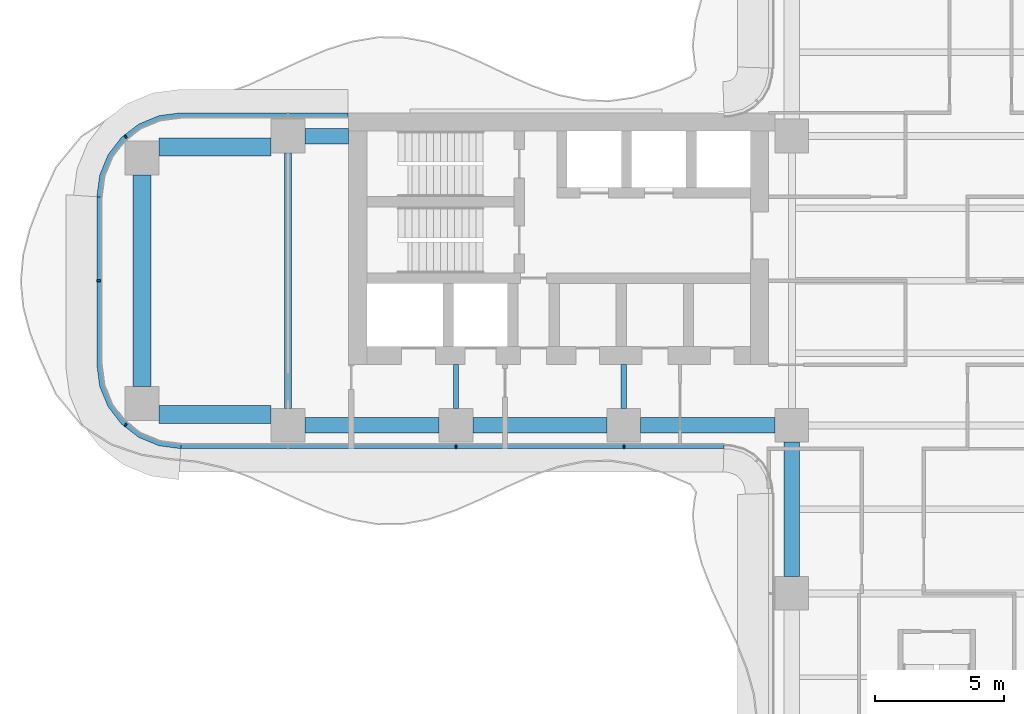
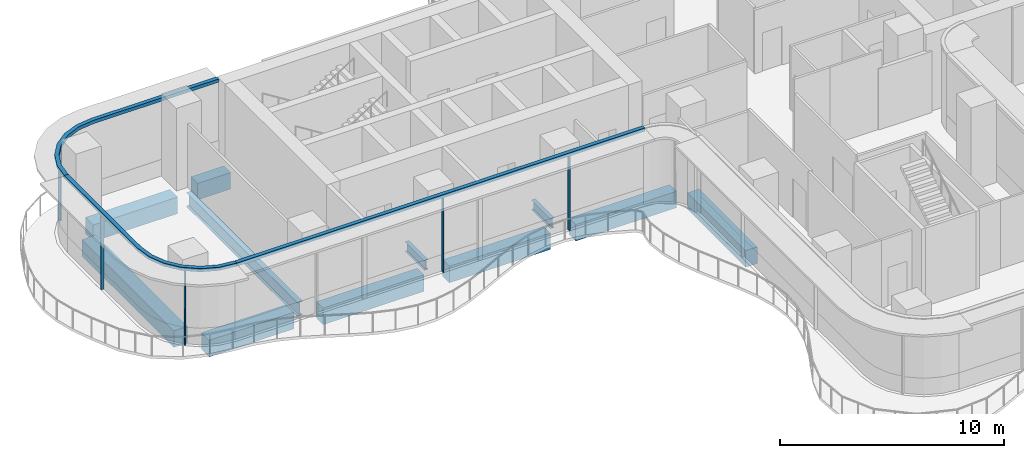
# One storey, part 3 of 20: 11 beams, 8 members, 3 elements without a shape of their own.
"""IFC4 building model written with IfcOpenShell, lengths in metres."""

import ifcopenshell
import ifcopenshell.guid

model = None  # the IFC model being written
_history = None  # IfcOwnerHistory: only IFC2X3 demands one
_inside = {}  # id of a spatial element -> (the spatial element, [elements in it])
_under = {}  # id of a project, library or spatial element -> (it, [spatial elements below it])
_declared = {}  # id of a project -> (the project, [libraries it declares])
_typed = {}  # id of a type object -> (the type object, [elements of that type])
_made_of = {}  # id of a material, layer set ... -> (it, [elements and type objects made of it])


def new_model(schema):
    """Start an empty IFC model of exactly this schema.

    Asked for "IFC4X3", IfcOpenShell would pick the latest addendum, in which some entities
    have other attributes; the version numbers below select the first issue.
    IFC2X3 requires an IfcOwnerHistory on every rooted entity: one is made here for all.
    """
    global model, _history
    if schema == "IFC4X3":
        model = ifcopenshell.file(schema_version=(4, 3, 0, 0))
    else:
        model = ifcopenshell.file(schema=schema)
    _inside.clear()
    _under.clear()
    _declared.clear()
    _typed.clear()
    _made_of.clear()
    _history = None
    if model.schema == "IFC2X3":
        org = make("IfcOrganization", Name="unknown")
        user = make(
            "IfcPersonAndOrganization",
            ThePerson=make("IfcPerson", FamilyName="unknown"),
            TheOrganization=org,
        )
        app = make(
            "IfcApplication",
            ApplicationDeveloper=org,
            Version="unknown",
            ApplicationFullName="unknown",
            ApplicationIdentifier="unknown",
        )
        _history = make(
            "IfcOwnerHistory",
            OwningUser=user,
            OwningApplication=app,
            ChangeAction="ADDED",
            CreationDate=0,
        )
    return model


def make(cls, **values):
    """One entity of the class cls with the attributes given. An attribute that is None is left unset."""
    return model.create_entity(
        cls, **{name: value for name, value in values.items() if value is not None}
    )


def rooted(cls, **values):
    """An entity with a GlobalId (a new one), such as an element, a storey or a relation."""
    return make(cls, GlobalId=ifcopenshell.guid.new(), OwnerHistory=_history, **values)


def si_unit(unit_type, name, prefix=None):
    """IfcSIUnit, for example si_unit("LENGTHUNIT", "METRE", prefix="MILLI")."""
    return make("IfcSIUnit", UnitType=unit_type, Prefix=prefix, Name=name)


def assignment(units):
    """IfcUnitAssignment: the units of a project."""
    return None if units is None else make("IfcUnitAssignment", Units=units)


def point(xyz):
    """IfcCartesianPoint."""
    return None if xyz is None else make("IfcCartesianPoint", Coordinates=xyz)


def direction(xyz):
    """IfcDirection."""
    return None if xyz is None else make("IfcDirection", DirectionRatios=xyz)


def frame(location, z_axis=None, x_axis=None):
    """IfcAxis2Placement3D, a coordinate frame: its origin and axes. An axis left out is left unset."""
    return make(
        "IfcAxis2Placement3D",
        Location=point(location),
        Axis=direction(z_axis),
        RefDirection=direction(x_axis),
    )


def frame_2d(location, x_axis=None):
    """IfcAxis2Placement2D, a coordinate frame in the plane: its origin and x axis."""
    return make(
        "IfcAxis2Placement2D", Location=point(location), RefDirection=direction(x_axis)
    )


def origin():
    """The frame at (0, 0, 0) with its axes left unset."""
    return frame((0.0, 0.0, 0.0))


def origin_2d():
    """The frame at (0, 0) in the plane with its x axis left unset."""
    return frame_2d((0.0, 0.0))


def place(relative_to, where):
    """IfcLocalPlacement: puts the frame where relative to a parent placement (None: the world)."""
    return make(
        "IfcLocalPlacement", PlacementRelTo=relative_to, RelativePlacement=where
    )


def context(
    kind, dimensions, precision=None, world=None, true_north=None, identifier=None
):
    """IfcGeometricRepresentationContext, for example the 3D "Model" context."""
    return make(
        "IfcGeometricRepresentationContext",
        ContextIdentifier=identifier,
        ContextType=kind,
        CoordinateSpaceDimension=dimensions,
        Precision=precision,
        WorldCoordinateSystem=world,
        TrueNorth=true_north,
    )


def subcontext(parent, identifier, kind, view, scale=None):
    """IfcGeometricRepresentationSubContext, for example "Body" below "Model"."""
    return make(
        "IfcGeometricRepresentationSubContext",
        ContextIdentifier=identifier,
        ContextType=kind,
        ParentContext=parent,
        TargetScale=scale,
        TargetView=view,
    )


def project(units=None, contexts=None):
    """IfcProject with its units and contexts."""
    return rooted(
        "IfcProject",
        Name="project",
        RepresentationContexts=contexts,
        UnitsInContext=assignment(units),
    )


def spatial(cls, under=None, at=None, **own):
    """A site, building, storey or space (cls), placed at a placement, below another one or the project."""
    s = rooted(cls, ObjectPlacement=at, **own)
    if under is not None:
        _under.setdefault(under.id(), (under, []))[1].append(s)
    return s


def polyline(points):
    """IfcPolyline through the points."""
    return make("IfcPolyline", Points=[point(p) for p in points])


def profile(cls, at=None, kind="AREA", **sizes):
    """A parametric profile (cls). Its sizes go by their IFC names, for example OverallWidth=200.0."""
    return make(cls, ProfileType=kind, Position=at, **sizes)


def rectangle(**sizes):
    """IfcRectangleProfileDef."""
    return profile("IfcRectangleProfileDef", **sizes)


def i_section(**sizes):
    """IfcIShapeProfileDef."""
    return profile("IfcIShapeProfileDef", **sizes)


def outline(outer, holes=None, kind="AREA"):
    """IfcArbitraryClosedProfileDef: a profile drawn as a closed curve; with holes, ...WithVoids."""
    if holes is None:
        return make("IfcArbitraryClosedProfileDef", ProfileType=kind, OuterCurve=outer)
    return make(
        "IfcArbitraryProfileDefWithVoids",
        ProfileType=kind,
        OuterCurve=outer,
        InnerCurves=holes,
    )


def extrude(swept, where, along, depth):
    """IfcExtrudedAreaSolid: the profile swept, set in the frame where, extruded along a direction by depth."""
    return make(
        "IfcExtrudedAreaSolid",
        SweptArea=swept,
        Position=where,
        ExtrudedDirection=direction(along),
        Depth=depth,
    )


def shape(context_of_items, identifier, shape_type, items):
    """IfcShapeRepresentation: the items that make up one representation, for example the "Body"."""
    return make(
        "IfcShapeRepresentation",
        ContextOfItems=context_of_items,
        RepresentationIdentifier=identifier,
        RepresentationType=shape_type,
        Items=items,
    )


def source(mapping_origin, context_of_items, identifier, shape_type, items):
    """IfcRepresentationMap: a shape defined once, which mapped items show again and again."""
    return make(
        "IfcRepresentationMap",
        MappingOrigin=mapping_origin,
        MappedRepresentation=shape(context_of_items, identifier, shape_type, items),
    )


def transform(
    local_origin,
    x_axis=None,
    y_axis=None,
    z_axis=None,
    scale=None,
    scale2=None,
    scale3=None,
    uniform=True,
):
    """IfcCartesianTransformationOperator3D, or its non-uniform kind. x_axis, y_axis, z_axis: its Axis1, 2, 3."""
    if uniform:
        return make(
            "IfcCartesianTransformationOperator3D",
            Axis1=direction(x_axis),
            Axis2=direction(y_axis),
            LocalOrigin=point(local_origin),
            Scale=scale,
            Axis3=direction(z_axis),
        )
    return make(
        "IfcCartesianTransformationOperator3DnonUniform",
        Axis1=direction(x_axis),
        Axis2=direction(y_axis),
        LocalOrigin=point(local_origin),
        Scale=scale,
        Axis3=direction(z_axis),
        Scale2=scale2,
        Scale3=scale3,
    )


def mapped(mapping_source, mapping_target):
    """IfcMappedItem: shows the shape of a source again, moved by a transform."""
    return make(
        "IfcMappedItem", MappingSource=mapping_source, MappingTarget=mapping_target
    )


def material(Name=None, Category=None):
    """IfcMaterial."""
    return make("IfcMaterial", Name=Name, Category=Category)


def layer(
    of_material, thickness, ventilated=None, Name=None, Category=None, Priority=None
):
    """IfcMaterialLayer: one layer of a wall or slab, of a material (None: an air gap)."""
    return make(
        "IfcMaterialLayer",
        Material=of_material,
        LayerThickness=thickness,
        IsVentilated=ventilated,
        Name=Name,
        Category=Category,
        Priority=Priority,
    )


def layer_set(layers, Name=None):
    """IfcMaterialLayerSet."""
    return make("IfcMaterialLayerSet", MaterialLayers=layers, LayerSetName=Name)


def material_profile(
    of_material, cross_section, Name=None, Category=None, Priority=None
):
    """IfcMaterialProfile: a cross section and its material."""
    return make(
        "IfcMaterialProfile",
        Name=Name,
        Material=of_material,
        Profile=cross_section,
        Priority=Priority,
        Category=Category,
    )


def profile_set(profiles, Name=None, composite=None):
    """IfcMaterialProfileSet."""
    return make(
        "IfcMaterialProfileSet",
        Name=Name,
        MaterialProfiles=profiles,
        CompositeProfile=composite,
    )


def made_of(thing, what):
    """Note that an element or type object is made of a material, layer set ...; save() writes the relation."""
    if what is not None:
        _made_of.setdefault(what.id(), (what, []))[1].append(thing)
    return thing


def type_object(cls, material=None, **own):
    """A type object (cls), such as IfcWallType, which elements share."""
    return made_of(rooted(cls, **own), material)


def element(
    cls,
    number,
    at=None,
    inside=None,
    cuts=None,
    type_object=None,
    material=None,
    context=None,
    identifier="Body",
    shape_type=None,
    held_by="IfcProductDefinitionShape",
    body=None,
    shapes=None,
    **own,
):
    """One element of the class cls, such as IfcWall. Its Tag is "e" and its number.

    at: its placement. inside: the storey or other place that contains it. cuts: it is an
    opening in that element (IfcRelVoidsElement). A single representation is given by context,
    identifier, shape_type and body (its items); several are given by shapes. held_by: the class
    of the entity that holds the representations. save() writes the other relations.
    """
    e = rooted(cls, Tag="e%d" % number, ObjectPlacement=at, **own)
    if body is not None:
        shapes = [shape(context, identifier, shape_type, body)]
    if shapes is not None:
        e.Representation = make(held_by, Representations=shapes)
    if inside is not None:
        _inside.setdefault(inside.id(), (inside, []))[1].append(e)
    if cuts is not None:
        rooted(
            "IfcRelVoidsElement", RelatingBuildingElement=cuts, RelatedOpeningElement=e
        )
    if type_object is not None:
        _typed.setdefault(type_object.id(), (type_object, []))[1].append(e)
    return made_of(e, material)


def aggregate(whole, parts):
    """IfcRelAggregates: a whole, such as a stair, and the parts it consists of."""
    return rooted("IfcRelAggregates", RelatingObject=whole, RelatedObjects=parts)


def save(model, path):
    """Write the relations noted so far, then the file.

    IfcRelAggregates (storeys below a building ...), IfcRelContainedInSpatialStructure (elements
    in a storey), IfcRelDefinesByType, IfcRelAssociatesMaterial and IfcRelDeclares: one each for
    every whole, place, type object, material and project.
    """
    for whole, parts in _under.values():
        aggregate(whole, parts)
    for where, things in _inside.values():
        rooted(
            "IfcRelContainedInSpatialStructure",
            RelatedElements=things,
            RelatingStructure=where,
        )
    for kind, things in _typed.values():
        rooted("IfcRelDefinesByType", RelatedObjects=things, RelatingType=kind)
    for what, things in _made_of.values():
        rooted("IfcRelAssociatesMaterial", RelatedObjects=things, RelatingMaterial=what)
    for by, libraries in _declared.values():
        rooted("IfcRelDeclares", RelatingContext=by, RelatedDefinitions=libraries)
    model.write(path)


model = new_model("IFC4")

# Units and contexts
model_context = context("Model", 3, precision=1e-05, world=origin(), true_north=direction((0.0, 1.0)))
body_context = subcontext(model_context, "Body", "Model", "MODEL_VIEW")
ifc_project = project(units=[si_unit("LENGTHUNIT", "METRE"), si_unit("AREAUNIT", "SQUARE_METRE"), si_unit("VOLUMEUNIT", "CUBIC_METRE"), si_unit("PLANEANGLEUNIT", "RADIAN"), si_unit("MASSUNIT", "GRAM", prefix="KILO")], contexts=[model_context])

# Site, building, storey
site_placement = place(None, origin())
site = spatial("IfcSite", under=ifc_project, at=site_placement, CompositionType="ELEMENT")
building_placement = place(site_placement, origin())
building = spatial("IfcBuilding", under=site, at=building_placement, Name="Trellis Farm Tower", CompositionType="ELEMENT")
storey_placement = place(building_placement, frame((0.0, 0.0, 133.5)))
storey = spatial("IfcBuildingStorey", under=building, at=storey_placement, Name="L28", CompositionType="ELEMENT", Elevation=133.5)

# Beams
ifc_material_1 = material(Name="Steel S355", Category="steel")
ifc_material_profile_1 = material_profile(ifc_material_1, i_section(OverallWidth=0.2666015625, OverallDepth=0.76220703125, WebThickness=0.014404296875, FlangeThickness=0.021484375, FilletRadius=0.0166015625, at=origin_2d()), Name="UB 762x267x173")
ifc_profile_set_1 = profile_set([ifc_material_profile_1], Name="Steel S355")
beam_type_1 = type_object("IfcBeamType", Name="UB 762x267x173", PredefinedType="BEAM", material=ifc_profile_set_1)
shared_shape_1 = source(origin(), body_context, "Body", "SweptSolid", [
    extrude(i_section(OverallWidth=0.2666015625, OverallDepth=0.76220703125, WebThickness=0.014404296875, FlangeThickness=0.021484375, FilletRadius=0.0166015625, at=origin_2d()), origin(), (0.0, 0.0, 1.0), 9.89990234375),
])
beam_1_placement = place(storey_placement, frame((-25.10009765625, -4.949951171875, -0.631103515625), z_axis=(0.0, 1.0, 0.0), x_axis=(-1.0, 0.0, 0.0)))
element("IfcBeam", 1, at=beam_1_placement, inside=storey, type_object=beam_type_1, Name="Girder", PredefinedType="BEAM", context=body_context, shape_type="MappedRepresentation", body=[
    mapped(shared_shape_1, transform((0.0, 0.0, 0.0))),
])
ifc_material_2 = material(Name="Concrete C60/75", Category="concrete")
ifc_material_profile_2 = material_profile(ifc_material_2, rectangle(XDim=0.60009765625, YDim=0.89990234375, at=origin_2d()), Name="RC spandrel beam 600x900 C60/75")
ifc_profile_set_2 = profile_set([ifc_material_profile_2], Name="Concrete C60/75")
beam_type_2 = type_object("IfcBeamType", Name="RC spandrel beam 600x900 C60/75", PredefinedType="SPANDREL", material=ifc_profile_set_2)
shared_shape_2 = source(origin(), body_context, "Body", "SweptSolid", [
    extrude(rectangle(XDim=0.60009765625, YDim=0.89990234375, at=origin_2d()), origin(), (0.0, 0.0, 1.0), 1.699951171875),
])
beam_2_placement = place(storey_placement, frame((-24.449951171875, 5.60009765625, -0.699951171875), z_axis=(1.0, 0.0, 0.0), x_axis=(0.0, 1.0, 0.0)))
element("IfcBeam", 2, at=beam_2_placement, inside=storey, type_object=beam_type_2, Name="Girder", PredefinedType="SPANDREL", context=body_context, shape_type="MappedRepresentation", body=[
    mapped(shared_shape_2, transform((0.0, 0.0, 0.0))),
])
ifc_material_profile_3 = material_profile(ifc_material_1, i_section(OverallWidth=0.209228515625, OverallDepth=0.533203125, WebThickness=0.010009765625, FlangeThickness=0.015625, FilletRadius=0.0126953125, at=origin_2d()), Name="UB 533x210x92")
ifc_profile_set_3 = profile_set([ifc_material_profile_3], Name="Steel S355")
beam_type_3 = type_object("IfcBeamType", Name="UB 533x210x92", PredefinedType="BEAM", material=ifc_profile_set_3)
shared_shape_3 = source(origin(), body_context, "Body", "SweptSolid", [
    extrude(i_section(OverallWidth=0.209228515625, OverallDepth=0.533203125, WebThickness=0.010009765625, FlangeThickness=0.015625, FilletRadius=0.0126953125, at=origin_2d()), origin(), (0.0, 0.0, 1.0), 1.699951171875),
])
for number, where, z_axis, x_axis, name in (
    (3, (-18.60009765625, -4.949951171875, -0.5166015625), (0.0, 1.0, 0.0), (-1.0, 0.0, 0.0), "Girder"),
    (4, (-12.10009765625, -4.949951171875, -0.5166015625), (0.0, 1.0, 0.0), (-1.0, 0.0, 0.0), "Girder"),
):
    element("IfcBeam", number, at=place(storey_placement, frame(where, z_axis=z_axis, x_axis=x_axis)), inside=storey, type_object=beam_type_3, Name=name, PredefinedType="BEAM", context=body_context, shape_type="MappedRepresentation", body=[
        mapped(shared_shape_3, transform((0.0, 0.0, 0.0))),
    ])
shared_shape_4 = source(origin(), body_context, "Body", "SweptSolid", [
    extrude(rectangle(XDim=0.60009765625, YDim=0.89990234375, at=origin_2d()), origin(), (0.0, 0.0, 1.0), 5.199951171875),
])
for number, where, z_axis, x_axis, name in (
    (5, (-24.449951171875, -5.60009765625, -0.699951171875), (1.0, 0.0, 0.0), (0.0, 1.0, 0.0), "Girder"),
    (6, (-17.949951171875, -5.60009765625, -0.699951171875), (1.0, 0.0, 0.0), (0.0, 1.0, 0.0), "Girder"),
    (7, (-11.449951171875, -5.60009765625, -0.699951171875), (1.0, 0.0, 0.0), (0.0, 1.0, 0.0), "Girder"),
    (8, (-5.60009765625, -11.449951171875, -0.699951171875), (0.0, 1.0, 0.0), (-1.0, 0.0, 0.0), "Girder"),
):
    element("IfcBeam", number, at=place(storey_placement, frame(where, z_axis=z_axis, x_axis=x_axis)), inside=storey, type_object=beam_type_2, Name=name, PredefinedType="SPANDREL", context=body_context, shape_type="MappedRepresentation", body=[
        mapped(shared_shape_4, transform((0.0, 0.0, 0.0))),
    ])
ifc_material_profile_4 = material_profile(ifc_material_2, rectangle(XDim=0.699951171875, YDim=0.89990234375, at=origin_2d()), Name="RC spandrel beam 700x900 C60/75")
ifc_profile_set_4 = profile_set([ifc_material_profile_4], Name="Concrete C60/75")
beam_type_4 = type_object("IfcBeamType", Name="RC spandrel beam 700x900 C60/75", PredefinedType="SPANDREL", material=ifc_profile_set_4)
shared_shape_5 = source(origin(), body_context, "Body", "SweptSolid", [
    extrude(rectangle(XDim=0.699951171875, YDim=0.89990234375, at=origin_2d()), origin(), (0.0, 0.0, 1.0), 4.35009765625),
])
for number, where, z_axis, x_axis, name in (
    (9, (-30.10009765625, -5.175048828125, -0.699951171875), (1.0, 0.0, 0.0), (0.0, 1.0, 0.0), "Girder"),
    (10, (-30.10009765625, 5.175048828125, -0.699951171875), (1.0, 0.0, 0.0), (0.0, 1.0, 0.0), "Girder"),
):
    element("IfcBeam", number, at=place(storey_placement, frame(where, z_axis=z_axis, x_axis=x_axis)), inside=storey, type_object=beam_type_4, Name=name, PredefinedType="SPANDREL", context=body_context, shape_type="MappedRepresentation", body=[
        mapped(shared_shape_5, transform((0.0, 0.0, 0.0))),
    ])
shared_shape_6 = source(origin(), body_context, "Body", "SweptSolid", [
    extrude(rectangle(XDim=0.699951171875, YDim=0.89990234375, at=origin_2d()), origin(), (0.0, 0.0, 1.0), 8.2001953125),
])
beam_3_placement = place(storey_placement, frame((-30.75, -4.10009765625, -0.699951171875), z_axis=(0.0, 1.0, 0.0), x_axis=(-1.0, 0.0, 0.0)))
element("IfcBeam", 11, at=beam_3_placement, inside=storey, type_object=beam_type_4, Name="Girder", PredefinedType="SPANDREL", context=body_context, shape_type="MappedRepresentation", body=[
    mapped(shared_shape_6, transform((0.0, 0.0, 0.0))),
])

# Curtain wall, members
ifc_material_3 = material(Name="Aluminium and glass curtain wall", Category="aluminium")
ifc_layer_1 = layer(ifc_material_3, 0.18994140625)
ifc_layer_set_1 = layer_set([ifc_layer_1], Name="RIBBON CURTAIN WALL CW1")
curtain_wall_type = type_object("IfcCurtainWallType", Name="RIBBON CURTAIN WALL CW1", PredefinedType="NOTDEFINED", material=ifc_layer_set_1)
placement_1 = place(storey_placement, origin())
curtain_wall_1 = element("IfcCurtainWall", 12, at=placement_1, inside=storey, type_object=curtain_wall_type, Name="CW1 001", PredefinedType="NOTDEFINED")
ifc_material_4 = material(Name="Aluminium extrusion 6063-T6", Category="aluminium")
ifc_material_profile_5 = material_profile(ifc_material_4, rectangle(XDim=0.06005859375, YDim=0.14990234375, at=origin_2d()), Name="MULLION 60x150")
ifc_profile_set_5 = profile_set([ifc_material_profile_5], Name="Aluminium extrusion 6063-T6")
member_type_1 = type_object("IfcMemberType", Name="CW1 MULLION 60x150", PredefinedType="MULLION", material=ifc_profile_set_5)
shared_shape_7 = source(origin(), body_context, "Body", "SweptSolid", [
    extrude(rectangle(XDim=0.06005859375, YDim=0.14990234375, at=origin_2d()), origin(), (0.0, 0.0, 1.0), 4.070068359375),
])
member_1_placement = place(storey_placement, frame((-18.60009765625, -6.425048828125, 0.0), z_axis=(0.0, 0.0, 1.0), x_axis=(1.0, 0.0, 0.0)))
member_1 = element("IfcMember", 13, at=member_1_placement, type_object=member_type_1, Name="MU1 001-02", PredefinedType="MULLION", context=body_context, shape_type="MappedRepresentation", body=[
    mapped(shared_shape_7, transform((0.0, 0.0, 0.0))),
])
member_2_placement = place(storey_placement, frame((-12.10009765625, -6.425048828125, 0.0), z_axis=(0.0, 0.0, 1.0), x_axis=(1.0, 0.0, 0.0)))
member_2 = element("IfcMember", 14, at=member_2_placement, type_object=member_type_1, Name="MU1 001-03", PredefinedType="MULLION", context=body_context, shape_type="MappedRepresentation", body=[
    mapped(shared_shape_7, transform((0.0, 0.0, 0.0))),
])

# Curtain wall, member
curtain_wall_2 = element("IfcCurtainWall", 15, at=placement_1, inside=storey, type_object=curtain_wall_type, Name="CW1 012", PredefinedType="NOTDEFINED")
member_3_placement = place(storey_placement, frame((-31.385498046875, 5.578369140625, 0.0), z_axis=(0.0, 0.0, 1.0), x_axis=(-0.793353340291, -0.608761429009, 0.0)))
member_3 = element("IfcMember", 16, at=member_3_placement, type_object=member_type_1, Name="MU1 012-02", PredefinedType="MULLION", context=body_context, shape_type="MappedRepresentation", body=[
    mapped(shared_shape_7, transform((0.0, 0.0, 0.0))),
])

# Curtain wall, members
curtain_wall_3 = element("IfcCurtainWall", 17, at=placement_1, inside=storey, type_object=curtain_wall_type, Name="CW1 013", PredefinedType="NOTDEFINED")
member_4_placement = place(storey_placement, frame((-32.425048828125, 0.0, 0.0), z_axis=(0.0, 0.0, 1.0), x_axis=(0.0, -1.0, 0.0)))
member_4 = element("IfcMember", 18, at=member_4_placement, type_object=member_type_1, Name="MU1 013-01", PredefinedType="MULLION", context=body_context, shape_type="MappedRepresentation", body=[
    mapped(shared_shape_7, transform((0.0, 0.0, 0.0))),
])
member_5_placement = place(storey_placement, frame((-31.385498046875, -5.578369140625, 0.0), z_axis=(0.0, 0.0, 1.0), x_axis=(0.793353340291, -0.608761429009, 0.0)))
member_5 = element("IfcMember", 19, at=member_5_placement, type_object=member_type_1, Name="MU1 013-02", PredefinedType="MULLION", context=body_context, shape_type="MappedRepresentation", body=[
    mapped(shared_shape_7, transform((0.0, 0.0, 0.0))),
])

# Member
ifc_layer_2 = layer(ifc_material_4, 0.199951171875)
ifc_layer_set_2 = layer_set([ifc_layer_2], Name="Aluminium extrusion 6063-T6")
member_type_2 = type_object("IfcMemberType", Name="CW1 TRANSOM 200x180", PredefinedType="USERDEFINED", material=ifc_layer_set_2)
shared_shape_8 = source(origin(), body_context, "Body", "SweptSolid", [
    extrude(outline(polyline([(-29.25, -6.5), (-8.2314453125, -6.5), (-8.224853515625, -6.300048828125), (-29.23681640625, -6.300048828125), (-29.25, -6.5)])), origin(), (0.0, 0.0, 1.0), 0.179931640625),
])
placement_2 = place(storey_placement, frame((0.0, 0.0, 4.070068359375)))
member_6 = element("IfcMember", 20, at=placement_2, type_object=member_type_2, Name="TR1 001", ObjectType="TRANSOM", PredefinedType="USERDEFINED", context=body_context, shape_type="MappedRepresentation", body=[
    mapped(shared_shape_8, transform((0.0, 0.0, 0.0))),
])

aggregate(curtain_wall_1, [member_1, member_2, member_6])

shared_shape_9 = source(origin(), body_context, "Body", "SweptSolid", [
    extrude(outline(polyline([(-22.780029296875, 6.5), (-29.25, 6.5), (-30.091064453125, 6.38916015625), (-30.875, 6.064697265625), (-31.548095703125, 5.548095703125), (-32.064697265625, 4.875), (-32.38916015625, 4.091064453125), (-32.5, 3.25), (-32.300048828125, 3.23681640625), (-32.1943359375, 4.0390625), (-31.889892578125, 4.774169921875), (-31.405517578125, 5.405517578125), (-30.774169921875, 5.889892578125), (-30.0390625, 6.1943359375), (-29.23681640625, 6.300048828125), (-22.780029296875, 6.300048828125), (-22.780029296875, 6.5)])), origin(), (0.0, 0.0, 1.0), 0.179931640625),
])
member_7 = element("IfcMember", 21, at=placement_2, type_object=member_type_2, Name="TR1 012", ObjectType="TRANSOM", PredefinedType="USERDEFINED", context=body_context, shape_type="MappedRepresentation", body=[
    mapped(shared_shape_9, transform((0.0, 0.0, 0.0))),
])

aggregate(curtain_wall_2, [member_3, member_7])

shared_shape_10 = source(origin(), body_context, "Body", "SweptSolid", [
    extrude(outline(polyline([(-32.5, 3.25), (-32.5, -3.25), (-32.38916015625, -4.091064453125), (-32.064697265625, -4.875), (-31.548095703125, -5.548095703125), (-30.875, -6.064697265625), (-30.091064453125, -6.38916015625), (-29.25, -6.5), (-29.23681640625, -6.300048828125), (-30.0390625, -6.1943359375), (-30.774169921875, -5.889892578125), (-31.405517578125, -5.405517578125), (-31.889892578125, -4.774169921875), (-32.1943359375, -4.0390625), (-32.300048828125, -3.23681640625), (-32.300048828125, 3.23681640625), (-32.5, 3.25)])), origin(), (0.0, 0.0, 1.0), 0.179931640625),
])
member_8 = element("IfcMember", 22, at=placement_2, type_object=member_type_2, Name="TR1 013", ObjectType="TRANSOM", PredefinedType="USERDEFINED", context=body_context, shape_type="MappedRepresentation", body=[
    mapped(shared_shape_10, transform((0.0, 0.0, 0.0))),
])

aggregate(curtain_wall_3, [member_4, member_5, member_8])

save(model, "model.ifc")
